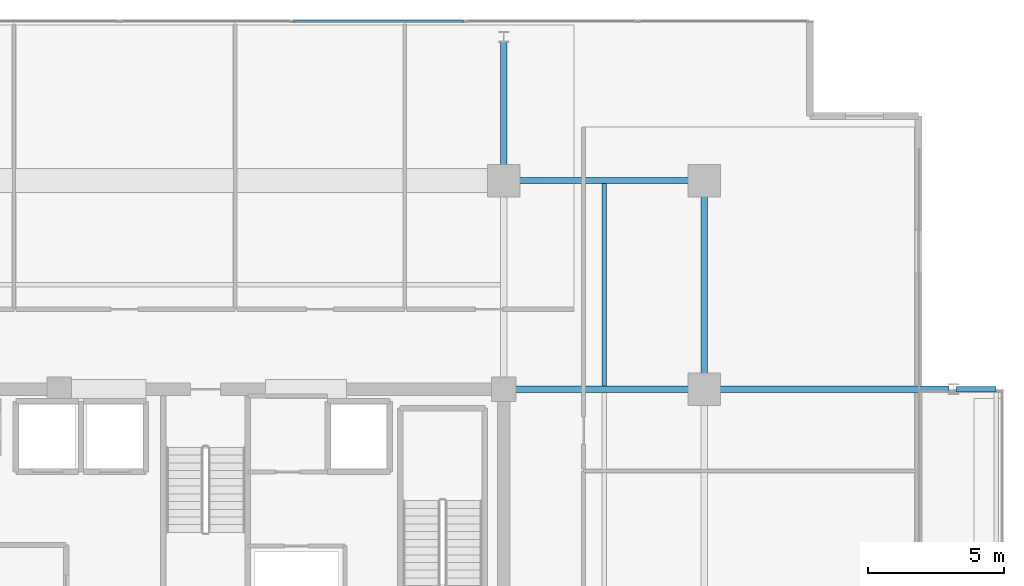
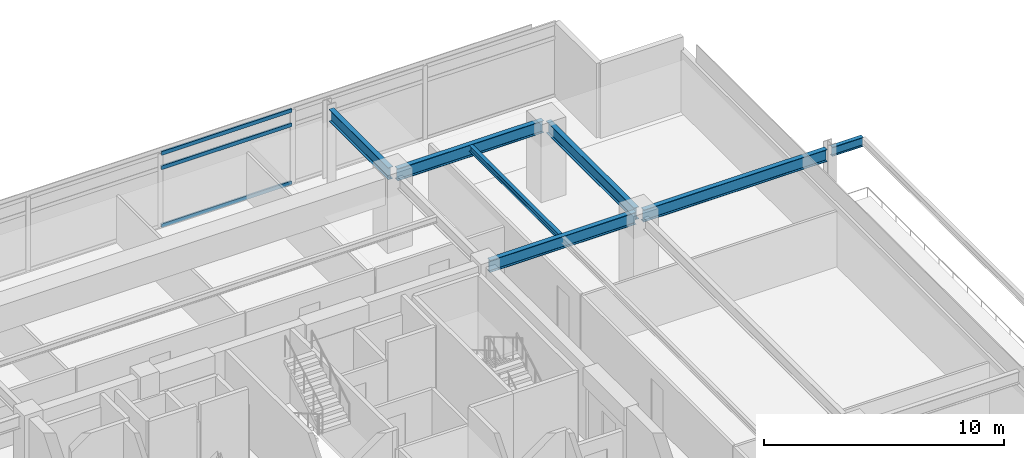
# One storey, part 11 of 21: 7 beams, 3 members, 1 element without a shape of its own.
"""IFC4 building model written with IfcOpenShell, lengths in metres."""

import ifcopenshell
import ifcopenshell.guid

model = None  # the IFC model being written
_history = None  # IfcOwnerHistory: only IFC2X3 demands one
_inside = {}  # id of a spatial element -> (the spatial element, [elements in it])
_under = {}  # id of a project, library or spatial element -> (it, [spatial elements below it])
_declared = {}  # id of a project -> (the project, [libraries it declares])
_typed = {}  # id of a type object -> (the type object, [elements of that type])
_made_of = {}  # id of a material, layer set ... -> (it, [elements and type objects made of it])


def new_model(schema):
    """Start an empty IFC model of exactly this schema.

    Asked for "IFC4X3", IfcOpenShell would pick the latest addendum, in which some entities
    have other attributes; the version numbers below select the first issue.
    IFC2X3 requires an IfcOwnerHistory on every rooted entity: one is made here for all.
    """
    global model, _history
    if schema == "IFC4X3":
        model = ifcopenshell.file(schema_version=(4, 3, 0, 0))
    else:
        model = ifcopenshell.file(schema=schema)
    _inside.clear()
    _under.clear()
    _declared.clear()
    _typed.clear()
    _made_of.clear()
    _history = None
    if model.schema == "IFC2X3":
        org = make("IfcOrganization", Name="unknown")
        user = make(
            "IfcPersonAndOrganization",
            ThePerson=make("IfcPerson", FamilyName="unknown"),
            TheOrganization=org,
        )
        app = make(
            "IfcApplication",
            ApplicationDeveloper=org,
            Version="unknown",
            ApplicationFullName="unknown",
            ApplicationIdentifier="unknown",
        )
        _history = make(
            "IfcOwnerHistory",
            OwningUser=user,
            OwningApplication=app,
            ChangeAction="ADDED",
            CreationDate=0,
        )
    return model


def make(cls, **values):
    """One entity of the class cls with the attributes given. An attribute that is None is left unset."""
    return model.create_entity(
        cls, **{name: value for name, value in values.items() if value is not None}
    )


def rooted(cls, **values):
    """An entity with a GlobalId (a new one), such as an element, a storey or a relation."""
    return make(cls, GlobalId=ifcopenshell.guid.new(), OwnerHistory=_history, **values)


def si_unit(unit_type, name, prefix=None):
    """IfcSIUnit, for example si_unit("LENGTHUNIT", "METRE", prefix="MILLI")."""
    return make("IfcSIUnit", UnitType=unit_type, Prefix=prefix, Name=name)


def assignment(units):
    """IfcUnitAssignment: the units of a project."""
    return None if units is None else make("IfcUnitAssignment", Units=units)


def point(xyz):
    """IfcCartesianPoint."""
    return None if xyz is None else make("IfcCartesianPoint", Coordinates=xyz)


def direction(xyz):
    """IfcDirection."""
    return None if xyz is None else make("IfcDirection", DirectionRatios=xyz)


def frame(location, z_axis=None, x_axis=None):
    """IfcAxis2Placement3D, a coordinate frame: its origin and axes. An axis left out is left unset."""
    return make(
        "IfcAxis2Placement3D",
        Location=point(location),
        Axis=direction(z_axis),
        RefDirection=direction(x_axis),
    )


def frame_2d(location, x_axis=None):
    """IfcAxis2Placement2D, a coordinate frame in the plane: its origin and x axis."""
    return make(
        "IfcAxis2Placement2D", Location=point(location), RefDirection=direction(x_axis)
    )


def origin():
    """The frame at (0, 0, 0) with its axes left unset."""
    return frame((0.0, 0.0, 0.0))


def origin_2d():
    """The frame at (0, 0) in the plane with its x axis left unset."""
    return frame_2d((0.0, 0.0))


def place(relative_to, where):
    """IfcLocalPlacement: puts the frame where relative to a parent placement (None: the world)."""
    return make(
        "IfcLocalPlacement", PlacementRelTo=relative_to, RelativePlacement=where
    )


def context(
    kind, dimensions, precision=None, world=None, true_north=None, identifier=None
):
    """IfcGeometricRepresentationContext, for example the 3D "Model" context."""
    return make(
        "IfcGeometricRepresentationContext",
        ContextIdentifier=identifier,
        ContextType=kind,
        CoordinateSpaceDimension=dimensions,
        Precision=precision,
        WorldCoordinateSystem=world,
        TrueNorth=true_north,
    )


def subcontext(parent, identifier, kind, view, scale=None):
    """IfcGeometricRepresentationSubContext, for example "Body" below "Model"."""
    return make(
        "IfcGeometricRepresentationSubContext",
        ContextIdentifier=identifier,
        ContextType=kind,
        ParentContext=parent,
        TargetScale=scale,
        TargetView=view,
    )


def project(units=None, contexts=None):
    """IfcProject with its units and contexts."""
    return rooted(
        "IfcProject",
        Name="project",
        RepresentationContexts=contexts,
        UnitsInContext=assignment(units),
    )


def spatial(cls, under=None, at=None, **own):
    """A site, building, storey or space (cls), placed at a placement, below another one or the project."""
    s = rooted(cls, ObjectPlacement=at, **own)
    if under is not None:
        _under.setdefault(under.id(), (under, []))[1].append(s)
    return s


def profile(cls, at=None, kind="AREA", **sizes):
    """A parametric profile (cls). Its sizes go by their IFC names, for example OverallWidth=200.0."""
    return make(cls, ProfileType=kind, Position=at, **sizes)


def hollow_rectangle(**sizes):
    """IfcRectangleHollowProfileDef."""
    return profile("IfcRectangleHollowProfileDef", **sizes)


def i_section(**sizes):
    """IfcIShapeProfileDef."""
    return profile("IfcIShapeProfileDef", **sizes)


def extrude(swept, where, along, depth):
    """IfcExtrudedAreaSolid: the profile swept, set in the frame where, extruded along a direction by depth."""
    return make(
        "IfcExtrudedAreaSolid",
        SweptArea=swept,
        Position=where,
        ExtrudedDirection=direction(along),
        Depth=depth,
    )


def shape(context_of_items, identifier, shape_type, items):
    """IfcShapeRepresentation: the items that make up one representation, for example the "Body"."""
    return make(
        "IfcShapeRepresentation",
        ContextOfItems=context_of_items,
        RepresentationIdentifier=identifier,
        RepresentationType=shape_type,
        Items=items,
    )


def material(Name=None, Category=None):
    """IfcMaterial."""
    return make("IfcMaterial", Name=Name, Category=Category)


def material_profile(
    of_material, cross_section, Name=None, Category=None, Priority=None
):
    """IfcMaterialProfile: a cross section and its material."""
    return make(
        "IfcMaterialProfile",
        Name=Name,
        Material=of_material,
        Profile=cross_section,
        Priority=Priority,
        Category=Category,
    )


def profile_set(profiles, Name=None, composite=None):
    """IfcMaterialProfileSet."""
    return make(
        "IfcMaterialProfileSet",
        Name=Name,
        MaterialProfiles=profiles,
        CompositeProfile=composite,
    )


def made_of(thing, what):
    """Note that an element or type object is made of a material, layer set ...; save() writes the relation."""
    if what is not None:
        _made_of.setdefault(what.id(), (what, []))[1].append(thing)
    return thing


def type_object(cls, material=None, **own):
    """A type object (cls), such as IfcWallType, which elements share."""
    return made_of(rooted(cls, **own), material)


def element(
    cls,
    number,
    at=None,
    inside=None,
    cuts=None,
    type_object=None,
    material=None,
    context=None,
    identifier="Body",
    shape_type=None,
    held_by="IfcProductDefinitionShape",
    body=None,
    shapes=None,
    **own,
):
    """One element of the class cls, such as IfcWall. Its Tag is "e" and its number.

    at: its placement. inside: the storey or other place that contains it. cuts: it is an
    opening in that element (IfcRelVoidsElement). A single representation is given by context,
    identifier, shape_type and body (its items); several are given by shapes. held_by: the class
    of the entity that holds the representations. save() writes the other relations.
    """
    e = rooted(cls, Tag="e%d" % number, ObjectPlacement=at, **own)
    if body is not None:
        shapes = [shape(context, identifier, shape_type, body)]
    if shapes is not None:
        e.Representation = make(held_by, Representations=shapes)
    if inside is not None:
        _inside.setdefault(inside.id(), (inside, []))[1].append(e)
    if cuts is not None:
        rooted(
            "IfcRelVoidsElement", RelatingBuildingElement=cuts, RelatedOpeningElement=e
        )
    if type_object is not None:
        _typed.setdefault(type_object.id(), (type_object, []))[1].append(e)
    return made_of(e, material)


def aggregate(whole, parts):
    """IfcRelAggregates: a whole, such as a stair, and the parts it consists of."""
    return rooted("IfcRelAggregates", RelatingObject=whole, RelatedObjects=parts)


def save(model, path):
    """Write the relations noted so far, then the file.

    IfcRelAggregates (storeys below a building ...), IfcRelContainedInSpatialStructure (elements
    in a storey), IfcRelDefinesByType, IfcRelAssociatesMaterial and IfcRelDeclares: one each for
    every whole, place, type object, material and project.
    """
    for whole, parts in _under.values():
        aggregate(whole, parts)
    for where, things in _inside.values():
        rooted(
            "IfcRelContainedInSpatialStructure",
            RelatedElements=things,
            RelatingStructure=where,
        )
    for kind, things in _typed.values():
        rooted("IfcRelDefinesByType", RelatedObjects=things, RelatingType=kind)
    for what, things in _made_of.values():
        rooted("IfcRelAssociatesMaterial", RelatedObjects=things, RelatingMaterial=what)
    for by, libraries in _declared.values():
        rooted("IfcRelDeclares", RelatingContext=by, RelatedDefinitions=libraries)
    model.write(path)


model = new_model("IFC4")

# Units and contexts
model_context = context("Model", 3, precision=1e-05, world=origin(), true_north=direction((0.0, 1.0)))
body_context = subcontext(model_context, "Body", "Model", "MODEL_VIEW")
ifc_project = project(units=[si_unit("LENGTHUNIT", "METRE"), si_unit("AREAUNIT", "SQUARE_METRE"), si_unit("VOLUMEUNIT", "CUBIC_METRE"), si_unit("PLANEANGLEUNIT", "RADIAN"), si_unit("MASSUNIT", "GRAM", prefix="KILO")], contexts=[model_context])

# Site, building, storey
site_placement = place(None, origin())
site = spatial("IfcSite", under=ifc_project, at=site_placement, CompositionType="ELEMENT")
building_placement = place(site_placement, origin())
building = spatial("IfcBuilding", under=site, at=building_placement, Name="Kovane Verandah Tower", CompositionType="ELEMENT")
storey_placement = place(building_placement, frame((0.0, 0.0, 263.199951171875)))
storey = spatial("IfcBuildingStorey", under=building, at=storey_placement, Name="L61", CompositionType="ELEMENT", Elevation=263.199951171875)

# Beams
ifc_material_1 = material(Name="Steel S355", Category="steel")
ifc_material_profile_1 = material_profile(ifc_material_1, i_section(OverallWidth=0.230224609375, OverallDepth=0.6171875, WebThickness=0.01318359375, FlangeThickness=0.022216796875, FilletRadius=0.0126953125, at=origin_2d()), Name="UB610x229x140")
ifc_profile_set_1 = profile_set([ifc_material_profile_1], Name="Steel S355")
beam_type_1 = type_object("IfcBeamType", Name="BM-UB610x140", PredefinedType="BEAM", material=ifc_profile_set_1)
beam_1_placement = place(storey_placement, frame((51.179931640625, 44.199951171875, 3.4765625), z_axis=(1.0, 0.0, 0.0), x_axis=(0.0, 1.0, 0.0)))
element("IfcBeam", 1, at=beam_1_placement, inside=storey, type_object=beam_type_1, Name="L61 Primary Tower Girder G-RN3", PredefinedType="BEAM", context=body_context, shape_type="SweptSolid", body=[
    extrude(i_section(OverallWidth=0.230224609375, OverallDepth=0.6171875, WebThickness=0.01318359375, FlangeThickness=0.022216796875, FilletRadius=0.0126953125, at=origin_2d()), origin(), (0.0, 0.0, 1.0), 7.0400390625),
])
beam_2_placement = place(storey_placement, frame((58.39990234375, 36.679931640625, 3.4765625), z_axis=(0.0, 1.0, 0.0), x_axis=(-1.0, 0.0, 0.0)))
element("IfcBeam", 2, at=beam_2_placement, inside=storey, type_object=beam_type_1, Name="L61 Primary Tower Girder G-RE3", PredefinedType="BEAM", context=body_context, shape_type="SweptSolid", body=[
    extrude(i_section(OverallWidth=0.230224609375, OverallDepth=0.6171875, WebThickness=0.01318359375, FlangeThickness=0.022216796875, FilletRadius=0.0126953125, at=origin_2d()), origin(), (0.0, 0.0, 1.0), 7.340087890625),
])
beam_3_placement = place(storey_placement, frame((51.179931640625, 36.5, 3.4765625), z_axis=(1.0, 0.0, 0.0), x_axis=(0.0, 1.0, 0.0)))
element("IfcBeam", 3, at=beam_3_placement, inside=storey, type_object=beam_type_1, Name="L61 Primary Tower Girder G-E2", PredefinedType="BEAM", context=body_context, shape_type="SweptSolid", body=[
    extrude(i_section(OverallWidth=0.230224609375, OverallDepth=0.6171875, WebThickness=0.01318359375, FlangeThickness=0.022216796875, FilletRadius=0.0126953125, at=origin_2d()), origin(), (0.0, 0.0, 1.0), 7.0400390625),
])
beam_4_placement = place(storey_placement, frame((58.580078125, 36.5, 3.451416015625), z_axis=(1.0, 0.0, 0.0), x_axis=(0.0, 1.0, 0.0)))
element("IfcBeam", 4, at=beam_4_placement, inside=storey, type_object=beam_type_1, Name="L61 Primary Tower Girder G-VE2", PredefinedType="BEAM", context=body_context, shape_type="SweptSolid", body=[
    extrude(i_section(OverallWidth=0.230224609375, OverallDepth=0.6171875, WebThickness=0.01318359375, FlangeThickness=0.022216796875, FilletRadius=0.0126953125, at=origin_2d()), origin(), (0.0, 0.0, 1.0), 8.83984375),
])
beam_5_placement = place(storey_placement, frame((51.0, 44.3798828125, 3.451416015625), z_axis=(0.0, 1.0, 0.0), x_axis=(-1.0, 0.0, 0.0)))
element("IfcBeam", 5, at=beam_5_placement, inside=storey, type_object=beam_type_1, Name="L61 Primary Tower Girder G-VN2", PredefinedType="BEAM", context=body_context, shape_type="SweptSolid", body=[
    extrude(i_section(OverallWidth=0.230224609375, OverallDepth=0.6171875, WebThickness=0.01318359375, FlangeThickness=0.022216796875, FilletRadius=0.0126953125, at=origin_2d()), origin(), (0.0, 0.0, 1.0), 4.940185546875),
])

# Curtain wall, members
ifc_material_2 = material(Name="Champagne Anodised Aluminium Frame with Low-E Clear Laminated Glass", Category="aluminium")
curtain_wall_type = type_object("IfcCurtainWallType", Name="CW-SYS-05-HIGH", PredefinedType="NOTDEFINED", material=ifc_material_2)
curtain_wall_placement = place(storey_placement, origin())
curtain_wall = element("IfcCurtainWall", 6, at=curtain_wall_placement, inside=storey, type_object=curtain_wall_type, Name="L61 N Unitised Curtain Wall", PredefinedType="NOTDEFINED")
ifc_material_3 = material(Name="Champagne Anodised Aluminium 6063-T6", Category="aluminium")
ifc_material_profile_2 = material_profile(ifc_material_3, hollow_rectangle(XDim=0.0849609375, YDim=0.18994140625, WallThickness=0.00390625, at=origin_2d()), Name="AL85x190x4")
ifc_profile_set_2 = profile_set([ifc_material_profile_2], Name="Champagne Anodised Aluminium 6063-T6")
member_type = type_object("IfcMemberType", Name="CW-TRN-85x190", PredefinedType="USERDEFINED", material=ifc_profile_set_2)
member_1_placement = place(storey_placement, frame((49.510498046875, 50.080078125, 0.050048828125), z_axis=(-1.0, 0.0, 0.0), x_axis=(0.0, -1.0, 0.0)))
member_1 = element("IfcMember", 7, at=member_1_placement, type_object=member_type, Name="L61 N Unitised Curtain Wall Transom TB Bay 3", ObjectType="TRANSOM", PredefinedType="USERDEFINED", context=body_context, shape_type="SweptSolid", body=[
    extrude(hollow_rectangle(XDim=0.0849609375, YDim=0.18994140625, WallThickness=0.00390625, at=origin_2d()), origin(), (0.0, 0.0, 1.0), 6.273681640625),
])
member_2_placement = place(storey_placement, frame((49.510498046875, 50.080078125, 3.005126953125), z_axis=(-1.0, 0.0, 0.0), x_axis=(0.0, -1.0, 0.0)))
member_2 = element("IfcMember", 8, at=member_2_placement, type_object=member_type, Name="L61 N Unitised Curtain Wall Transom TM Bay 3", ObjectType="TRANSOM", PredefinedType="USERDEFINED", context=body_context, shape_type="SweptSolid", body=[
    extrude(hollow_rectangle(XDim=0.0849609375, YDim=0.18994140625, WallThickness=0.00390625, at=origin_2d()), origin(), (0.0, 0.0, 1.0), 6.273681640625),
])
member_3_placement = place(storey_placement, frame((49.510498046875, 50.080078125, 3.735107421875), z_axis=(-1.0, 0.0, 0.0), x_axis=(0.0, -1.0, 0.0)))
member_3 = element("IfcMember", 9, at=member_3_placement, type_object=member_type, Name="L61 N Unitised Curtain Wall Transom TT Bay 3", ObjectType="TRANSOM", PredefinedType="USERDEFINED", context=body_context, shape_type="SweptSolid", body=[
    extrude(hollow_rectangle(XDim=0.0849609375, YDim=0.18994140625, WallThickness=0.00390625, at=origin_2d()), origin(), (0.0, 0.0, 1.0), 6.273681640625),
])
aggregate(curtain_wall, [member_1, member_2, member_3])

# Beams
ifc_material_profile_3 = material_profile(ifc_material_1, i_section(OverallWidth=0.1669921875, OverallDepth=0.310302734375, WebThickness=0.0078125, FlangeThickness=0.013671875, FilletRadius=0.0087890625, at=origin_2d()), Name="UB305x165x54")
ifc_profile_set_3 = profile_set([ifc_material_profile_3], Name="Steel S355")
beam_type_2 = type_object("IfcBeamType", Name="JST-UB305x54", PredefinedType="JOIST", material=ifc_profile_set_3)
beam_6_placement = place(storey_placement, frame((54.699951171875, 36.613037109375, 3.6298828125), z_axis=(0.0, 1.0, 0.0), x_axis=(-1.0, 0.0, 0.0)))
element("IfcBeam", 10, at=beam_6_placement, inside=storey, type_object=beam_type_2, Name="L61 Secondary Composite Joist J-NE1", PredefinedType="JOIST", context=body_context, shape_type="SweptSolid", body=[
    extrude(i_section(OverallWidth=0.1669921875, OverallDepth=0.310302734375, WebThickness=0.0078125, FlangeThickness=0.013671875, FilletRadius=0.0087890625, at=origin_2d()), origin(), (0.0, 0.0, 1.0), 7.473876953125),
])
ifc_material_profile_4 = material_profile(ifc_material_1, i_section(OverallWidth=0.19287109375, OverallDepth=0.46728515625, WebThickness=0.011474609375, FlangeThickness=0.01953125, FilletRadius=0.01025390625, at=origin_2d()), Name="UB457x191x98")
ifc_profile_set_4 = profile_set([ifc_material_profile_4], Name="Steel S355")
beam_type_3 = type_object("IfcBeamType", Name="JST-UB457x98", PredefinedType="JOIST", material=ifc_profile_set_4)
beam_7_placement = place(storey_placement, frame((67.679931640625, 36.5, 3.5263671875), z_axis=(1.0, 0.0, 0.0), x_axis=(0.0, 1.0, 0.0)))
element("IfcBeam", 11, at=beam_7_placement, inside=storey, type_object=beam_type_3, Name="L61 East Planter Girder 2", PredefinedType="JOIST", context=body_context, shape_type="SweptSolid", body=[
    extrude(i_section(OverallWidth=0.19287109375, OverallDepth=0.46728515625, WebThickness=0.011474609375, FlangeThickness=0.01953125, FilletRadius=0.01025390625, at=origin_2d()), origin(), (0.0, 0.0, 1.0), 1.49072265625),
])

save(model, "model.ifc")
